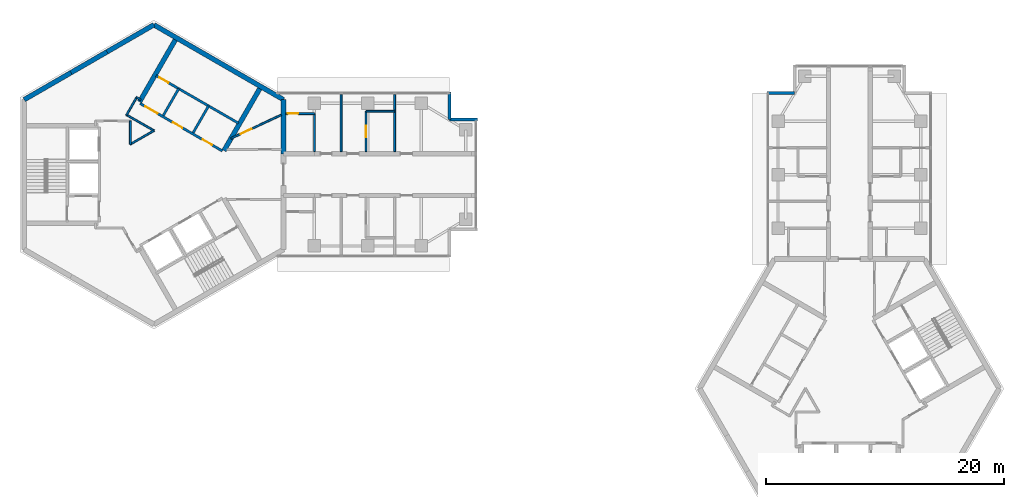
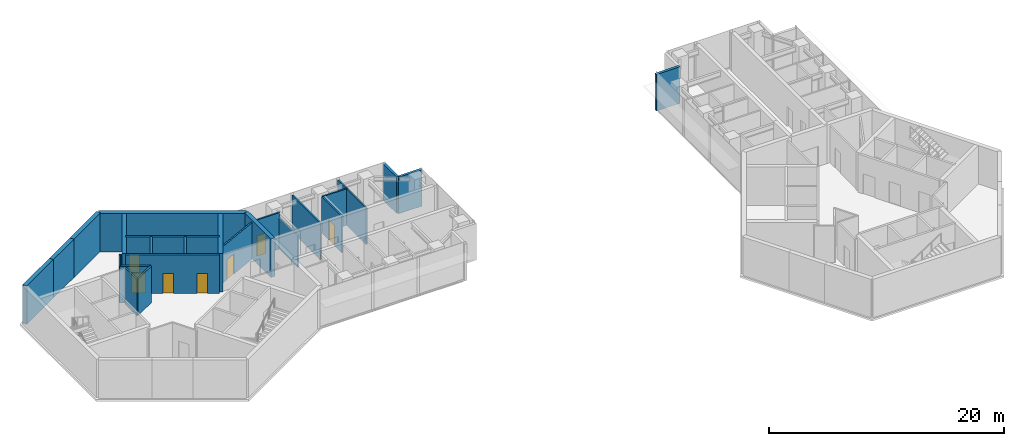
# One storey, part 7 of 11: 26 walls, 7 doors, 7 openings.
"""IFC4 building model written with IfcOpenShell, lengths in metres."""

from ifc_helpers import new_model, si_unit, direction, frame, frame_2d, origin, place, context, subcontext, project, spatial, rectangle, extrude, material, layer, layer_set, type_object, element, fill, save


model = new_model("IFC4")

# Units and contexts
model_context = context("Model", 3, precision=1e-05, world=origin(), true_north=direction((0.0, 1.0)))
body_context = subcontext(model_context, "Body", "Model", "MODEL_VIEW")
ifc_project = project(units=[si_unit("LENGTHUNIT", "METRE"), si_unit("AREAUNIT", "SQUARE_METRE"), si_unit("VOLUMEUNIT", "CUBIC_METRE"), si_unit("PLANEANGLEUNIT", "RADIAN"), si_unit("MASSUNIT", "GRAM", prefix="KILO")], contexts=[model_context])

# Site, building, storey
site_placement = place(None, origin())
site = spatial("IfcSite", under=ifc_project, at=site_placement, CompositionType="ELEMENT")
building_placement = place(site_placement, origin())
building = spatial("IfcBuilding", under=site, at=building_placement, Name="Upepo Twin Towers", CompositionType="ELEMENT")
storey_placement = place(building_placement, frame((0.0, 0.0, 259.5)))
storey = spatial("IfcBuildingStorey", under=building, at=storey_placement, Name="L63", CompositionType="ELEMENT", Elevation=259.5)

# Walls
ifc_material_1 = material(Name="Concrete C60/75", Category="concrete")
ifc_layer_1 = layer(ifc_material_1, 0.39990234375)
ifc_layer_set_1 = layer_set([ifc_layer_1], Name="Concrete C60/75")
wall_type_1 = type_object("IfcWallType", Name="Core wall 400 RC", PredefinedType="SHEAR", material=ifc_layer_set_1)
wall_1_placement = place(storey_placement, frame((10.908447265625, 1.75, 0.0), z_axis=(0.0, 0.0, 1.0), x_axis=(0.0, 1.0, 0.0)))
element("IfcWall", 1, at=wall_1_placement, inside=storey, type_object=wall_type_1, Name="T1 core wall 000 L", PredefinedType="SHEAR", context=body_context, shape_type="SweptSolid", body=[
    extrude(rectangle(XDim=4.5478515625, YDim=0.39990234375, at=frame_2d((2.27392578125, 0.0))), origin(), (0.0, 0.0, 1.0), 4.0),
])
wall_2_placement = place(storey_placement, frame((10.908447265625, 6.2978515625, 0.0), z_axis=(0.0, 0.0, 1.0), x_axis=(-0.866021940709, 0.500005998175, 0.0)))
element("IfcWall", 2, at=wall_2_placement, inside=storey, type_object=wall_type_1, Name="T1 core wall 060", PredefinedType="SHEAR", context=body_context, shape_type="SweptSolid", body=[
    extrude(rectangle(XDim=12.595947265625, YDim=0.39990234375, at=frame_2d((6.2978515625, 0.0))), origin(), (0.0, 0.0, 1.0), 4.0),
])
wall_3_placement = place(storey_placement, frame((0.0, 12.595947265625, 0.0), z_axis=(0.0, 0.0, 1.0), x_axis=(-0.866011268655, -0.500024481964, 0.0)))
element("IfcWall", 3, at=wall_3_placement, inside=storey, type_object=wall_type_1, Name="T1 core wall 120 R", PredefinedType="SHEAR", context=body_context, shape_type="SweptSolid", body=[
    extrude(rectangle(XDim=4.548095703125, YDim=0.39990234375, at=frame_2d((2.27392578125, 0.0))), origin(), (0.0, 0.0, 1.0), 4.0),
])
wall_4_placement = place(storey_placement, frame((-3.938720703125, 10.32177734375, 0.0), z_axis=(0.0, 0.0, 1.0), x_axis=(-0.866019471182, -0.500010275428, 0.0)))
element("IfcWall", 4, at=wall_4_placement, inside=storey, type_object=wall_type_1, Name="T1 core wall 120", PredefinedType="SHEAR", context=body_context, shape_type="SweptSolid", body=[
    extrude(rectangle(XDim=3.5, YDim=0.39990234375, at=frame_2d((1.75, 0.0))), origin(), (0.0, 0.0, 1.0), 4.0),
])
wall_5_placement = place(storey_placement, frame((-6.9697265625, 8.57177734375, 0.0), z_axis=(0.0, 0.0, 1.0), x_axis=(-0.866034513004, -0.499984222037, 0.0)))
element("IfcWall", 5, at=wall_5_placement, inside=storey, type_object=wall_type_1, Name="T1 core wall 120 L", PredefinedType="SHEAR", context=body_context, shape_type="SweptSolid", body=[
    extrude(rectangle(XDim=4.548095703125, YDim=0.39990234375, at=frame_2d((2.27392578125, 0.0))), origin(), (0.0, 0.0, 1.0), 4.0),
])
ifc_material_2 = material(Name="Blockwork with anodised aluminium cladding", Category="masonry")
ifc_layer_2 = layer(ifc_material_2, 0.25)
ifc_layer_set_2 = layer_set([ifc_layer_2], Name="Notch cladding wall 250, pale metal")
wall_type_2 = type_object("IfcWallType", Name="Notch cladding wall 250, pale metal", PredefinedType="STANDARD", material=ifc_layer_set_2)
for number, where, z_axis, x_axis, name in (
    (6, (24.875, 6.949951171875, 0.0), (0.0, 0.0, 1.0), (0.0, -1.0, 0.0), "T1 L63 wing A notch wall L1"),
    (7, (24.875, 4.625, 0.0), (0.0, 0.0, 1.0), (1.0, 0.0, 0.0), "T1 L63 wing A notch wall L2"),
    (8, (51.550048828125, 6.875, 0.0), (0.0, 0.0, 1.0), (1.0, 0.0, 0.0), "T2 L63 wing A notch wall L1"),
):
    element("IfcWall", number, at=place(storey_placement, frame(where, z_axis=z_axis, x_axis=x_axis)), inside=storey, type_object=wall_type_2, Name=name, PredefinedType="STANDARD", context=body_context, shape_type="SweptSolid", body=[
        extrude(rectangle(XDim=2.324951171875, YDim=0.25, at=frame_2d((1.16259765625, 0.0))), origin(), (0.0, 0.0, 1.0), 3.800048828125),
    ])

# Wall, openings, doors
ifc_material_3 = material(Name="Concrete C40/50", Category="concrete")
ifc_layer_3 = layer(ifc_material_3, 0.199951171875)
ifc_layer_set_3 = layer_set([ifc_layer_3], Name="Concrete C40/50")
wall_type_3 = type_object("IfcWallType", Name="Shaft wall 200 RC", PredefinedType="SHEAR", material=ifc_layer_set_3)
wall_6_placement = place(storey_placement, frame((5.76416015625, 1.983642578125, 0.0), z_axis=(0.0, 0.0, 1.0), x_axis=(-0.866026010844, 0.49999894854, 0.0)))
wall_6 = element("IfcWall", 9, at=wall_6_placement, inside=storey, type_object=wall_type_3, Name="T1 core W60 front wall", PredefinedType="SHEAR", context=body_context, shape_type="SweptSolid", body=[
    extrude(rectangle(XDim=8.0, YDim=0.199951171875, at=frame_2d((4.0, 0.0))), origin(), (0.0, 0.0, 1.0), 4.0),
])
opening_1_placement = place(wall_6_placement, frame((6.300048828125, 0.0, 0.0)))
opening_1 = element("IfcOpeningElement", 10, at=opening_1_placement, cuts=wall_6, Name="Opening D4", PredefinedType="OPENING", context=body_context, shape_type="SweptSolid", body=[
    extrude(rectangle(XDim=1.199951171875, YDim=2.10009765625, at=frame_2d((0.60009765625, 1.050048828125))), frame((0.0, 0.10986328125, 0.0), z_axis=(0.0, -1.0, 0.0), x_axis=(1.0, 0.0, 0.0)), (0.0, 0.0, 1.0), 0.219970703125),
])
opening_2_placement = place(wall_6_placement, frame((1.0, 0.0, 0.0)))
opening_2 = element("IfcOpeningElement", 11, at=opening_2_placement, cuts=wall_6, Name="Opening D9", PredefinedType="OPENING", context=body_context, shape_type="SweptSolid", body=[
    extrude(rectangle(XDim=0.89990234375, YDim=2.10009765625, at=frame_2d((0.449951171875, 1.050048828125))), frame((0.0, 0.10986328125, 0.0), z_axis=(0.0, -1.0, 0.0), x_axis=(1.0, 0.0, 0.0)), (0.0, 0.0, 1.0), 0.219970703125),
])
opening_3_placement = place(wall_6_placement, frame((3.89990234375, 0.0, 0.0)))
opening_3 = element("IfcOpeningElement", 12, at=opening_3_placement, cuts=wall_6, Name="Opening D9", PredefinedType="OPENING", context=body_context, shape_type="SweptSolid", body=[
    extrude(rectangle(XDim=0.89990234375, YDim=2.10009765625, at=frame_2d((0.449951171875, 1.050048828125))), frame((0.0, 0.10986328125, 0.0), z_axis=(0.0, -1.0, 0.0), x_axis=(1.0, 0.0, 0.0)), (0.0, 0.0, 1.0), 0.219970703125),
])
ifc_material_4 = material(Name="Timber doorset", Category="wood")
door_type_1 = type_object("IfcDoorType", Name="Lobby door 1200 FD60", OperationType="SINGLE_SWING_LEFT", PredefinedType="DOOR", material=ifc_material_4)
door_1_placement = place(opening_1_placement, origin())
door_1 = element("IfcDoor", 13, at=door_1_placement, inside=storey, type_object=door_type_1, Name="T1 L63 W60 lobby door", OperationType="SINGLE_SWING_RIGHT", OverallHeight=2.10009765625, OverallWidth=1.199951171875, PredefinedType="DOOR", context=body_context, shape_type="SweptSolid", body=[
    extrude(rectangle(XDim=1.199951171875, YDim=2.10009765625, at=frame_2d((0.60009765625, 1.050048828125))), frame((0.0, 0.02490234375, 0.0), z_axis=(0.0, -1.0, 0.0), x_axis=(1.0, 0.0, 0.0)), (0.0, 0.0, 1.0), 0.050048828125),
])
fill(opening_1, door_1)
ifc_material_5 = material(Name="Timber doorset", Category="wood")
door_type_2 = type_object("IfcDoorType", Name="Riser door 900 FD60", OperationType="SINGLE_SWING_LEFT", PredefinedType="DOOR", material=ifc_material_5)
door_2_placement = place(opening_2_placement, origin())
door_2 = element("IfcDoor", 14, at=door_2_placement, inside=storey, type_object=door_type_2, Name="T1 L63 first-aid room door", OperationType="SINGLE_SWING_LEFT", OverallHeight=2.10009765625, OverallWidth=0.89990234375, PredefinedType="DOOR", context=body_context, shape_type="SweptSolid", body=[
    extrude(rectangle(XDim=0.89990234375, YDim=2.10009765625, at=frame_2d((0.449951171875, 1.050048828125))), frame((0.0, 0.02490234375, 0.0), z_axis=(0.0, -1.0, 0.0), x_axis=(1.0, 0.0, 0.0)), (0.0, 0.0, 1.0), 0.050048828125),
])
fill(opening_2, door_2)
door_3_placement = place(opening_3_placement, origin())
door_3 = element("IfcDoor", 15, at=door_3_placement, inside=storey, type_object=door_type_2, Name="T1 L63 cleaner's store door", OperationType="SINGLE_SWING_RIGHT", OverallHeight=2.10009765625, OverallWidth=0.89990234375, PredefinedType="DOOR", context=body_context, shape_type="SweptSolid", body=[
    extrude(rectangle(XDim=0.89990234375, YDim=2.10009765625, at=frame_2d((0.449951171875, 1.050048828125))), frame((0.0, 0.02490234375, 0.0), z_axis=(0.0, -1.0, 0.0), x_axis=(1.0, 0.0, 0.0)), (0.0, 0.0, 1.0), 0.050048828125),
])
fill(opening_3, door_3)

# Walls
for number, where, z_axis, x_axis, name in (
    (16, (3.302734375, 3.520263671875, 0.0), (0.0, 0.0, 1.0), (0.499936506574, 0.866062058628, 0.0), "T1 core W60 shaft divider"),
    (17, (0.791259765625, 4.97021484375, 0.0), (0.0, 0.0, 1.0), (0.499936506574, 0.866062058628, 0.0), "T1 core W60 lobby wall"),
):
    element("IfcWall", number, at=place(storey_placement, frame(where, z_axis=z_axis, x_axis=x_axis)), inside=storey, type_object=wall_type_3, Name=name, PredefinedType="SHEAR", context=body_context, shape_type="SweptSolid", body=[
        extrude(rectangle(XDim=2.599853515625, YDim=0.199951171875, at=frame_2d((1.2998046875, 0.0))), origin(), (0.0, 0.0, 1.0), 4.0),
    ])

# Wall, opening, door
wall_7_placement = place(storey_placement, frame((7.114013671875, 4.322021484375, 0.0), z_axis=(0.0, 0.0, 1.0), x_axis=(-0.866026010844, 0.49999894854, 0.0)))
wall_7 = element("IfcWall", 18, at=wall_7_placement, inside=storey, type_object=wall_type_3, Name="T1 core W60 stair wall", PredefinedType="SHEAR", context=body_context, shape_type="SweptSolid", body=[
    extrude(rectangle(XDim=8.0, YDim=0.199951171875, at=frame_2d((4.0, 0.0))), origin(), (0.0, 0.0, 1.0), 4.0),
])
opening_4_placement = place(wall_7_placement, frame((6.800048828125, 0.0, 0.0)))
opening_4 = element("IfcOpeningElement", 19, at=opening_4_placement, cuts=wall_7, Name="Opening D9", PredefinedType="OPENING", context=body_context, shape_type="SweptSolid", body=[
    extrude(rectangle(XDim=0.89990234375, YDim=2.10009765625, at=frame_2d((0.449951171875, 1.050048828125))), frame((0.0, 0.10986328125, 0.0), z_axis=(0.0, -1.0, 0.0), x_axis=(1.0, 0.0, 0.0)), (0.0, 0.0, 1.0), 0.219970703125),
])
door_4_placement = place(opening_4_placement, origin())
door_4 = element("IfcDoor", 20, at=door_4_placement, inside=storey, type_object=door_type_2, Name="T1 L63 riser door", OperationType="SINGLE_SWING_RIGHT", OverallHeight=2.10009765625, OverallWidth=0.89990234375, PredefinedType="DOOR", context=body_context, shape_type="SweptSolid", body=[
    extrude(rectangle(XDim=0.89990234375, YDim=2.10009765625, at=frame_2d((0.449951171875, 1.050048828125))), frame((0.0, 0.02490234375, 0.0), z_axis=(0.0, -1.0, 0.0), x_axis=(1.0, 0.0, 0.0)), (0.0, 0.0, 1.0), 0.050048828125),
])
fill(opening_4, door_4)

# Walls
ifc_material_6 = material(Name="Concrete C40/50", Category="concrete")
ifc_layer_4 = layer(ifc_material_6, 0.39990234375)
ifc_layer_set_4 = layer_set([ifc_layer_4], Name="Concrete C40/50")
wall_type_4 = type_object("IfcWallType", Name="Shaft wall 400 RC", PredefinedType="SHEAR", material=ifc_layer_set_4)
for number, where, z_axis, x_axis, name in (
    (21, (-1.20068359375, 6.120361328125, 0.0), (0.0, 0.0, 1.0), (0.499997979876, 0.866026570101, 0.0), "T1 core W60 side wall N"),
    (22, (5.900634765625, 2.020263671875, 0.0), (0.0, 0.0, 1.0), (0.499997979876, 0.866026570101, 0.0), "T1 core W60 side wall S"),
):
    element("IfcWall", number, at=place(storey_placement, frame(where, z_axis=z_axis, x_axis=x_axis)), inside=storey, type_object=wall_type_4, Name=name, PredefinedType="SHEAR", context=body_context, shape_type="SweptSolid", body=[
        extrude(rectangle(XDim=6.00830078125, YDim=0.39990234375, at=frame_2d((3.004150390625, 0.0))), origin(), (0.0, 0.0, 1.0), 4.0),
    ])
ifc_material_7 = material(Name="Gypsum board on steel studs", Category="steel")
ifc_layer_5 = layer(ifc_material_7, 0.14990234375)
ifc_layer_set_5 = layer_set([ifc_layer_5], Name="Teaching partition 150 acoustic")
wall_type_5 = type_object("IfcWallType", Name="Teaching partition 150 acoustic", PredefinedType="PARTITIONING", material=ifc_layer_set_5)
for number, where, z_axis, x_axis, name in (
    (23, (15.75, 1.925048828125, 0.0), (0.0, 0.0, 1.0), (0.0, 1.0, 0.0), "T1 partition AL at 15.75"),
    (24, (20.25, 1.925048828125, 0.0), (0.0, 0.0, 1.0), (0.0, 1.0, 0.0), "T1 partition AL at 20.25"),
):
    element("IfcWall", number, at=place(storey_placement, frame(where, z_axis=z_axis, x_axis=x_axis)), inside=storey, type_object=wall_type_5, Name=name, PredefinedType="PARTITIONING", context=body_context, shape_type="SweptSolid", body=[
        extrude(rectangle(XDim=4.824951171875, YDim=0.14990234375, at=frame_2d((2.41259765625, 0.0))), origin(), (0.0, 0.0, 1.0), 3.800048828125),
    ])
wall_8_placement = place(storey_placement, frame((17.85009765625, 5.324951171875, 0.0), z_axis=(0.0, 0.0, 1.0), x_axis=(1.0, 0.0, 0.0)))
element("IfcWall", 25, at=wall_8_placement, inside=storey, type_object=wall_type_5, Name="T1 inner room partition AL at 17.85", PredefinedType="PARTITIONING", context=body_context, shape_type="SweptSolid", body=[
    extrude(rectangle(XDim=2.39990234375, YDim=0.14990234375, at=frame_2d((1.199951171875, 0.0))), origin(), (0.0, 0.0, 1.0), 3.800048828125),
])

# Wall, opening, door
wall_9_placement = place(storey_placement, frame((17.85009765625, 1.925048828125, 0.0), z_axis=(0.0, 0.0, 1.0), x_axis=(0.0, 1.0, 0.0)))
wall_9 = element("IfcWall", 26, at=wall_9_placement, inside=storey, type_object=wall_type_5, Name="T1 inner room partition AL end at 17.85", PredefinedType="PARTITIONING", context=body_context, shape_type="SweptSolid", body=[
    extrude(rectangle(XDim=3.39990234375, YDim=0.14990234375, at=frame_2d((1.699951171875, 0.0))), origin(), (0.0, 0.0, 1.0), 3.800048828125),
])
opening_5_placement = place(wall_9_placement, frame((1.199951171875, 0.0, 0.0)))
opening_5 = element("IfcOpeningElement", 27, at=opening_5_placement, cuts=wall_9, Name="Opening D1", PredefinedType="OPENING", context=body_context, shape_type="SweptSolid", body=[
    extrude(rectangle(XDim=1.0, YDim=2.10009765625, at=frame_2d((0.5, 1.050048828125))), frame((0.0, 0.0849609375, 0.0), z_axis=(0.0, -1.0, 0.0), x_axis=(1.0, 0.0, 0.0)), (0.0, 0.0, 1.0), 0.169921875),
])
ifc_material_8 = material(Name="Timber doorset", Category="wood")
door_type_3 = type_object("IfcDoorType", Name="Room door 1000 FD30", OperationType="SINGLE_SWING_LEFT", PredefinedType="DOOR", material=ifc_material_8)
door_5_placement = place(opening_5_placement, origin())
door_5 = element("IfcDoor", 28, at=door_5_placement, inside=storey, type_object=door_type_3, Name="T1 L63 inner room door", OperationType="SINGLE_SWING_LEFT", OverallHeight=2.10009765625, OverallWidth=1.0, PredefinedType="DOOR", context=body_context, shape_type="SweptSolid", body=[
    extrude(rectangle(XDim=1.0, YDim=2.10009765625, at=frame_2d((0.5, 1.050048828125))), frame((0.0, 0.02490234375, 0.0), z_axis=(0.0, -1.0, 0.0), x_axis=(1.0, 0.0, 0.0)), (0.0, 0.0, 1.0), 0.050048828125),
])
fill(opening_5, door_5)

wall_10_placement = place(storey_placement, frame((11.10791015625, 5.125, 0.0), z_axis=(0.0, 0.0, 1.0), x_axis=(1.0, 0.0, 0.0)))
wall_10 = element("IfcWall", 29, at=wall_10_placement, inside=storey, type_object=wall_type_5, Name="T1 WC bay partition AL at 11.11", PredefinedType="PARTITIONING", context=body_context, shape_type="SweptSolid", body=[
    extrude(rectangle(XDim=2.400146484375, YDim=0.14990234375, at=frame_2d((1.2001953125, 0.0))), origin(), (0.0, 0.0, 1.0), 3.800048828125),
])
opening_6_placement = place(wall_10_placement, frame((0.14990234375, 0.0, 0.0)))
opening_6 = element("IfcOpeningElement", 30, at=opening_6_placement, cuts=wall_10, Name="Opening D14", PredefinedType="OPENING", context=body_context, shape_type="SweptSolid", body=[
    extrude(rectangle(XDim=0.89990234375, YDim=2.10009765625, at=frame_2d((0.449951171875, 1.050048828125))), frame((0.0, 0.0849609375, 0.0), z_axis=(0.0, -1.0, 0.0), x_axis=(1.0, 0.0, 0.0)), (0.0, 0.0, 1.0), 0.169921875),
])
ifc_material_9 = material(Name="Timber doorset", Category="wood")
door_type_4 = type_object("IfcDoorType", Name="Office door 900 FD30", OperationType="SINGLE_SWING_LEFT", PredefinedType="DOOR", material=ifc_material_9)
door_6_placement = place(opening_6_placement, origin())
door_6 = element("IfcDoor", 31, at=door_6_placement, inside=storey, type_object=door_type_4, Name="T1 L63 WC bay inner room door", OperationType="SINGLE_SWING_LEFT", OverallHeight=2.10009765625, OverallWidth=0.89990234375, PredefinedType="DOOR", context=body_context, shape_type="SweptSolid", body=[
    extrude(rectangle(XDim=0.89990234375, YDim=2.10009765625, at=frame_2d((0.449951171875, 1.050048828125))), frame((0.0, 0.02490234375, 0.0), z_axis=(0.0, -1.0, 0.0), x_axis=(1.0, 0.0, 0.0)), (0.0, 0.0, 1.0), 0.050048828125),
])
fill(opening_6, door_6)

# Walls
wall_11_placement = place(storey_placement, frame((13.508056640625, 1.925048828125, 0.0), z_axis=(0.0, 0.0, 1.0), x_axis=(0.0, 1.0, 0.0)))
element("IfcWall", 32, at=wall_11_placement, inside=storey, type_object=wall_type_5, Name="T1 WC bay partition AL end at 13.51", PredefinedType="PARTITIONING", context=body_context, shape_type="SweptSolid", body=[
    extrude(rectangle(XDim=3.199951171875, YDim=0.14990234375, at=frame_2d((1.60009765625, 0.0))), origin(), (0.0, 0.0, 1.0), 3.266845703125),
])
wall_12_placement = place(storey_placement, frame((-1.97509765625, 4.52001953125, 0.0), z_axis=(0.0, 0.0, 1.0), x_axis=(0.0, -1.0, 0.0)))
element("IfcWall", 33, at=wall_12_placement, inside=storey, type_object=wall_type_5, Name="T1 core room partition 6", PredefinedType="PARTITIONING", context=body_context, shape_type="SweptSolid", body=[
    extrude(rectangle(XDim=1.985107421875, YDim=0.14990234375, at=frame_2d((0.99267578125, 0.0))), origin(), (0.0, 0.0, 1.0), 3.800048828125),
])
wall_13_placement = place(storey_placement, frame((-1.992431640625, 2.544921875, 0.0), z_axis=(0.0, 0.0, 1.0), x_axis=(0.866059450854, 0.499941024108, 0.0)))
element("IfcWall", 34, at=wall_13_placement, inside=storey, type_object=wall_type_5, Name="T1 core room partition 7", PredefinedType="PARTITIONING", context=body_context, shape_type="SweptSolid", body=[
    extrude(rectangle(XDim=2.320556640625, YDim=0.14990234375, at=frame_2d((1.16015625, 0.0))), origin(), (0.0, 0.0, 1.0), 3.800048828125),
])
wall_14_placement = place(storey_placement, frame((0.017333984375, 3.68505859375, 0.0), z_axis=(0.0, 0.0, 1.0), x_axis=(-0.866036099759, 0.499981473571, 0.0)))
element("IfcWall", 35, at=wall_14_placement, inside=storey, type_object=wall_type_5, Name="T1 core room partition 8", PredefinedType="PARTITIONING", context=body_context, shape_type="SweptSolid", body=[
    extrude(rectangle(XDim=2.6923828125, YDim=0.14990234375, at=frame_2d((1.34619140625, 0.0))), origin(), (0.0, 0.0, 1.0), 3.800048828125),
])
wall_15_placement = place(storey_placement, frame((-2.30712890625, 5.00390625, 0.0), z_axis=(0.0, 0.0, 1.0), x_axis=(0.500062521093, 0.865989304205, 0.0)))
element("IfcWall", 36, at=wall_15_placement, inside=storey, type_object=wall_type_5, Name="T1 core room partition 9", PredefinedType="PARTITIONING", context=body_context, shape_type="SweptSolid", body=[
    extrude(rectangle(XDim=1.739990234375, YDim=0.14990234375, at=frame_2d((0.8701171875, 0.0))), origin(), (0.0, 0.0, 1.0), 3.800048828125),
])
wall_16_placement = place(storey_placement, frame((-1.46435546875, 6.50341796875, 0.0), z_axis=(0.0, 0.0, 1.0), x_axis=(0.866138304741, -0.499804398801, 0.0)))
element("IfcWall", 37, at=wall_16_placement, inside=storey, type_object=wall_type_5, Name="T1 core room partition 10", PredefinedType="PARTITIONING", context=body_context, shape_type="SweptSolid", body=[
    extrude(rectangle(XDim=0.429931640625, YDim=0.14990234375, at=frame_2d((0.21484375, 0.0))), origin(), (0.0, 0.0, 1.0), 3.800048828125),
])

# Wall, opening, door
wall_17_placement = place(storey_placement, frame((6.4892578125, 3.039794921875, 0.0), z_axis=(0.0, 0.0, 1.0), x_axis=(0.905569039007, 0.424198910408, 0.0)))
wall_17 = element("IfcWall", 38, at=wall_17_placement, inside=storey, type_object=wall_type_5, Name="T1 core room partition 14", PredefinedType="PARTITIONING", context=body_context, shape_type="SweptSolid", body=[
    extrude(rectangle(XDim=4.658935546875, YDim=0.14990234375, at=frame_2d((2.32958984375, 0.0))), origin(), (0.0, 0.0, 1.0), 3.800048828125),
])
opening_7_placement = place(wall_17_placement, frame((0.897705078125, 0.0, 0.0)))
opening_7 = element("IfcOpeningElement", 39, at=opening_7_placement, cuts=wall_17, Name="Opening D1", PredefinedType="OPENING", context=body_context, shape_type="SweptSolid", body=[
    extrude(rectangle(XDim=1.0, YDim=2.10009765625, at=frame_2d((0.5, 1.050048828125))), frame((0.0, 0.0849609375, 0.0), z_axis=(0.0, -1.0, 0.0), x_axis=(1.0, 0.0, 0.0)), (0.0, 0.0, 1.0), 0.169921875),
])
door_7_placement = place(opening_7_placement, origin())
door_7 = element("IfcDoor", 40, at=door_7_placement, inside=storey, type_object=door_type_3, Name="T1 L63 core room door K3", OperationType="SINGLE_SWING_LEFT", OverallHeight=2.10009765625, OverallWidth=1.0, PredefinedType="DOOR", context=body_context, shape_type="SweptSolid", body=[
    extrude(rectangle(XDim=1.0, YDim=2.10009765625, at=frame_2d((0.5, 1.050048828125))), frame((0.0, 0.02490234375, 0.0), z_axis=(0.0, -1.0, 0.0), x_axis=(1.0, 0.0, 0.0)), (0.0, 0.0, 1.0), 0.050048828125),
])
fill(opening_7, door_7)

save(model, "model.ifc")
